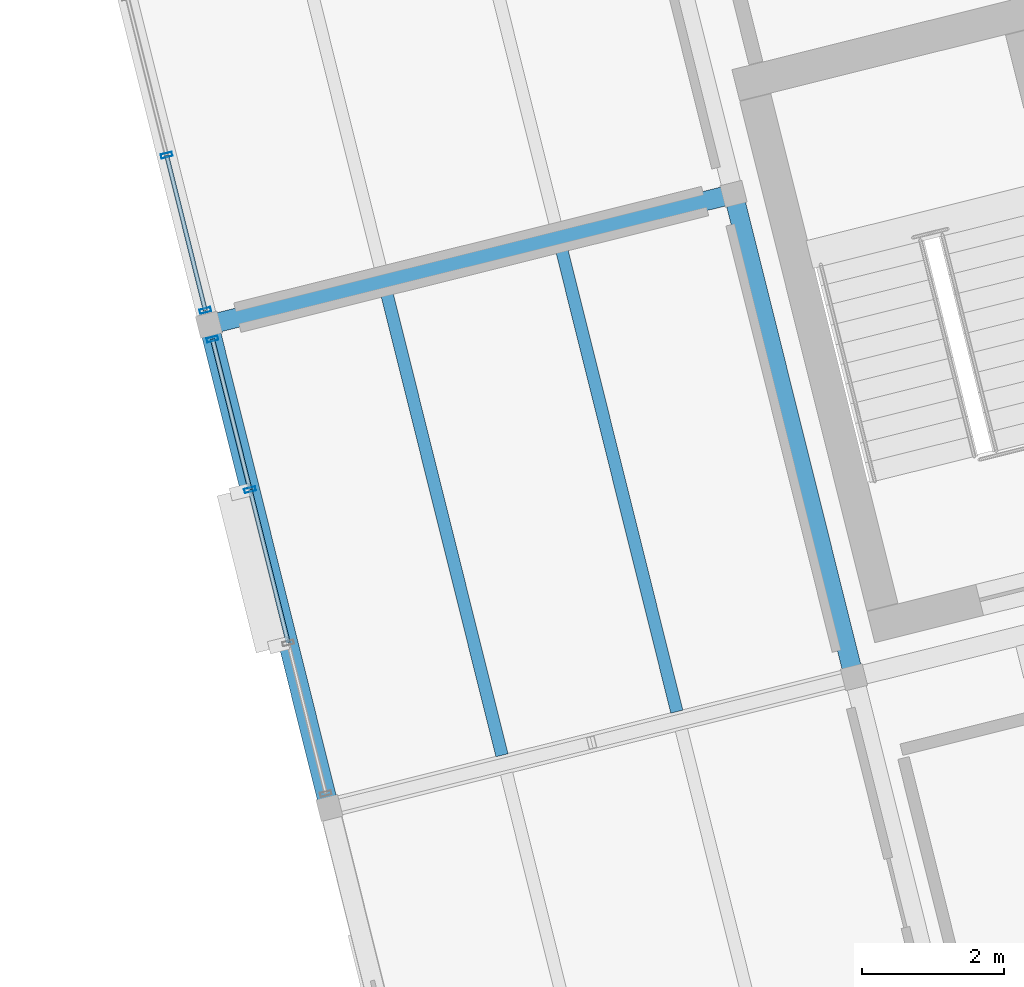
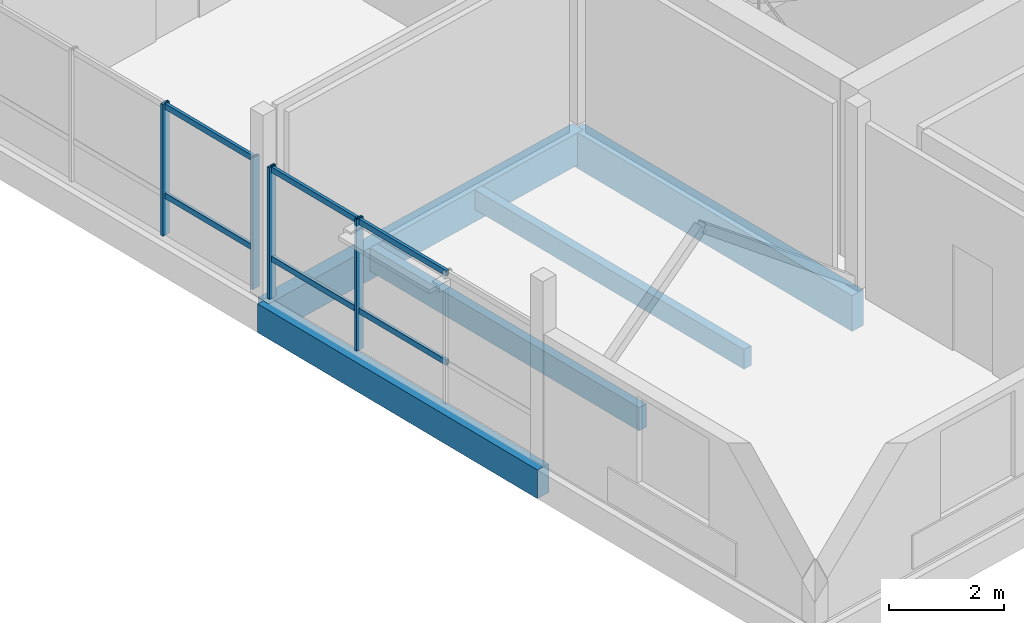
# One storey, part 4 of 25: 10 members, 5 beams, 2 elements without a shape of their own.
"""IFC4 building model written with IfcOpenShell, lengths in metres."""

from ifc_helpers import new_model, si_unit, direction, frame, origin, origin_2d, place, context, subcontext, project, spatial, rectangle, hollow_rectangle, extrude, material, layer, layer_set, material_profile, profile_set, type_object, element, aggregate, save


model = new_model("IFC4")

# Units and contexts
model_context = context("Model", 3, precision=1e-05, world=origin(), true_north=direction((0.0, 1.0)))
body_context = subcontext(model_context, "Body", "Model", "MODEL_VIEW")
ifc_project = project(units=[si_unit("LENGTHUNIT", "METRE"), si_unit("AREAUNIT", "SQUARE_METRE"), si_unit("VOLUMEUNIT", "CUBIC_METRE"), si_unit("PLANEANGLEUNIT", "RADIAN"), si_unit("MASSUNIT", "GRAM", prefix="KILO")], contexts=[model_context])

# Site, building, storey
site_placement = place(None, origin())
site = spatial("IfcSite", under=ifc_project, at=site_placement, CompositionType="ELEMENT")
building_placement = place(site_placement, origin())
building = spatial("IfcBuilding", under=site, at=building_placement, Name="Meriwether Solvik Hall", CompositionType="ELEMENT")
storey_placement = place(building_placement, frame((0.0, 0.0, 49.5)))
storey = spatial("IfcBuildingStorey", under=building, at=storey_placement, Name="L12", CompositionType="ELEMENT", Elevation=49.5)

# Beams
ifc_material_1 = material(Name="Glulam Douglas-Fir 24F-V8 GL28h", Category="wood")
ifc_material_profile_1 = material_profile(ifc_material_1, rectangle(XDim=0.27294921875, YDim=0.610107421875, at=origin_2d()), Name="GLB-273X610")
ifc_profile_set_1 = profile_set([ifc_material_profile_1], Name="Glulam Douglas-Fir 24F-V8 GL28h")
beam_type_1 = type_object("IfcBeamType", Name="BM-GL-273X610", PredefinedType="SPANDREL", material=ifc_profile_set_1)
beam_1_placement = place(storey_placement, frame((66.954833984375, 47.798095703125, -0.485107421875), z_axis=(-0.241911879182, 0.970298223594, 0.0), x_axis=(-0.970298223594, -0.241911879182, 0.0)))
element("IfcBeam", 1, at=beam_1_placement, inside=storey, type_object=beam_type_1, Name="Tower Girder T1:TB-TC (L12)", PredefinedType="SPANDREL", context=body_context, shape_type="SweptSolid", body=[
    extrude(rectangle(XDim=0.27294921875, YDim=0.610107421875, at=origin_2d()), origin(), (0.0, 0.0, 1.0), 7.0),
])
ifc_material_2 = material(Name="Glulam Douglas-Fir 24F-V8 GL28h", Category="wood")
ifc_material_profile_2 = material_profile(ifc_material_2, rectangle(XDim=0.27294921875, YDim=0.68505859375, at=origin_2d()), Name="GLB-273X685")
ifc_profile_set_2 = profile_set([ifc_material_profile_2], Name="Glulam Douglas-Fir 24F-V8 GL28h")
beam_type_2 = type_object("IfcBeamType", Name="BM-GL-273X685", PredefinedType="BEAM", material=ifc_profile_set_2)
beam_2_placement = place(storey_placement, frame((65.261474609375, 54.590087890625, -0.5224609375), z_axis=(0.970295366785, 0.241923337436, 0.0), x_axis=(-0.241923337436, 0.970295366785, 0.0)))
element("IfcBeam", 2, at=beam_2_placement, inside=storey, type_object=beam_type_2, Name="Tower Girder TC:T1-T2 (L12)", PredefinedType="BEAM", context=body_context, shape_type="SweptSolid", body=[
    extrude(rectangle(XDim=0.27294921875, YDim=0.68505859375, at=origin_2d()), origin(), (0.0, 0.0, 1.0), 7.60009765625),
])
ifc_material_3 = material(Name="Glulam Douglas-Fir 24F-V8 GL28h", Category="wood")
ifc_material_profile_3 = material_profile(ifc_material_3, rectangle(XDim=0.27294921875, YDim=0.760009765625, at=origin_2d()), Name="GLB-273X760")
ifc_profile_set_3 = profile_set([ifc_material_profile_3], Name="Glulam Douglas-Fir 24F-V8 GL28h")
beam_type_3 = type_object("IfcBeamType", Name="BM-GL-273X760", PredefinedType="BEAM", material=ifc_profile_set_3)
beam_3_placement = place(storey_placement, frame((74.3291015625, 49.63671875, -0.56005859375), z_axis=(-0.241911879182, 0.970298223594, 0.0), x_axis=(-0.970298223594, -0.241911879182, 0.0)))
element("IfcBeam", 3, at=beam_3_placement, inside=storey, type_object=beam_type_3, Name="Tower Girder T2:TB-TC (L12)", PredefinedType="BEAM", context=body_context, shape_type="SweptSolid", body=[
    extrude(rectangle(XDim=0.27294921875, YDim=0.760009765625, at=origin_2d()), origin(), (0.0, 0.0, 1.0), 7.0),
])

# Curtain wall, members
ifc_material_4 = material(Name="Thermally Broken Anodised Aluminium 6063-T6 and Low-E Glass", Category="aluminium")
ifc_layer_1 = layer(ifc_material_4, 0.179931640625)
ifc_layer_set_1 = layer_set([ifc_layer_1], Name="Thermally Broken Anodised Aluminium 6063-T6 and Low-E Glass")
curtain_wall_type_1 = type_object("IfcCurtainWallType", Name="CW-UNIT-G", PredefinedType="USERDEFINED", material=ifc_layer_set_1)
curtain_wall_1_placement = place(storey_placement, origin())
curtain_wall_1 = element("IfcCurtainWall", 4, at=curtain_wall_1_placement, inside=storey, type_object=curtain_wall_type_1, Name="Curtain Wall E3_B1 (L12)", ObjectType="UNITISED CURTAIN WALL", PredefinedType="USERDEFINED")
ifc_material_5 = material(Name="Anodised Aluminium 6063-T6", Category="aluminium")
ifc_material_profile_4 = material_profile(ifc_material_5, hollow_rectangle(XDim=0.06005859375, YDim=0.159912109375, WallThickness=0.00390625, at=origin_2d()), Name="CWM-60X160")
ifc_profile_set_4 = profile_set([ifc_material_profile_4], Name="Anodised Aluminium 6063-T6")
member_type_1 = type_object("IfcMemberType", Name="CW-MUL-60X160", PredefinedType="MULLION", material=ifc_profile_set_4)
member_1_placement = place(storey_placement, frame((65.839599609375, 52.271240234375, 0.0), z_axis=(0.0, 0.0, 1.0), x_axis=(-0.241921784185, 0.970295754055, 0.0)))
member_1 = element("IfcMember", 5, at=member_1_placement, type_object=member_type_1, Name="Curtain Wall Mullion 3", PredefinedType="MULLION", context=body_context, shape_type="SweptSolid", body=[
    extrude(hollow_rectangle(XDim=0.06005859375, YDim=0.159912109375, WallThickness=0.00390625, at=origin_2d()), origin(), (0.0, 0.0, 1.0), 2.7900390625),
])
member_2_placement = place(storey_placement, frame((65.311767578125, 54.388671875, 0.0), z_axis=(0.0, 0.0, 1.0), x_axis=(-0.241921784185, 0.970295754055, 0.0)))
member_2 = element("IfcMember", 6, at=member_2_placement, type_object=member_type_1, Name="Curtain Wall Mullion 4", PredefinedType="MULLION", context=body_context, shape_type="SweptSolid", body=[
    extrude(hollow_rectangle(XDim=0.06005859375, YDim=0.159912109375, WallThickness=0.00390625, at=origin_2d()), origin(), (0.0, 0.0, 1.0), 2.7900390625),
])

ifc_material_6 = material(Name="Thermally Broken Anodised Aluminium 6063-T6 and Low-E Glass", Category="aluminium")
ifc_layer_2 = layer(ifc_material_6, 0.179931640625)
ifc_layer_set_2 = layer_set([ifc_layer_2], Name="Thermally Broken Anodised Aluminium 6063-T6 and Low-E Glass")
curtain_wall_type_2 = type_object("IfcCurtainWallType", Name="CW-UNIT-A", PredefinedType="USERDEFINED", material=ifc_layer_set_2)
curtain_wall_2_placement = place(storey_placement, origin())
curtain_wall_2 = element("IfcCurtainWall", 7, at=curtain_wall_2_placement, inside=storey, type_object=curtain_wall_type_2, Name="Curtain Wall E3_B2 (L12)", ObjectType="UNITISED CURTAIN WALL", PredefinedType="USERDEFINED")
member_3_placement = place(storey_placement, frame((65.211181640625, 54.79150390625, 0.0), z_axis=(0.0, 0.0, 1.0), x_axis=(-0.241921877598, 0.970295730764, 0.0)))
member_3 = element("IfcMember", 8, at=member_3_placement, type_object=member_type_1, Name="Curtain Wall Mullion 1", PredefinedType="MULLION", context=body_context, shape_type="SweptSolid", body=[
    extrude(hollow_rectangle(XDim=0.06005859375, YDim=0.159912109375, WallThickness=0.00390625, at=origin_2d()), origin(), (0.0, 0.0, 1.0), 2.7900390625),
])
member_4_placement = place(storey_placement, frame((64.667236328125, 56.9736328125, 0.0), z_axis=(0.0, 0.0, 1.0), x_axis=(-0.241921877598, 0.970295730764, 0.0)))
member_4 = element("IfcMember", 9, at=member_4_placement, type_object=member_type_1, Name="Curtain Wall Mullion 2", PredefinedType="MULLION", context=body_context, shape_type="SweptSolid", body=[
    extrude(hollow_rectangle(XDim=0.06005859375, YDim=0.159912109375, WallThickness=0.00390625, at=origin_2d()), origin(), (0.0, 0.0, 1.0), 2.7900390625),
])

# Member
ifc_material_7 = material(Name="Anodised Aluminium 6063-T6", Category="aluminium")
ifc_material_profile_5 = material_profile(ifc_material_7, hollow_rectangle(XDim=0.06005859375, YDim=0.1201171875, WallThickness=0.00390625, at=origin_2d()), Name="CWT-60X120")
ifc_profile_set_5 = profile_set([ifc_material_profile_5], Name="Anodised Aluminium 6063-T6")
member_type_2 = type_object("IfcMemberType", Name="CW-TRN-60X120", PredefinedType="USERDEFINED", material=ifc_profile_set_5)
member_5_placement = place(storey_placement, frame((66.376708984375, 50.116943359375, 0.8369140625), z_axis=(-0.241914618046, 0.970297540745, 0.0), x_axis=(-0.970297540745, -0.241914618046, 0.0)))
member_5 = element("IfcMember", 10, at=member_5_placement, type_object=member_type_2, Name="Curtain Wall Transom 2-sill", ObjectType="TRANSOM", PredefinedType="USERDEFINED", context=body_context, shape_type="SweptSolid", body=[
    extrude(hollow_rectangle(XDim=0.06005859375, YDim=0.1201171875, WallThickness=0.00390625, at=origin_2d()), origin(), (0.0, 0.0, 1.0), 2.22021484375),
])

member_6_placement = place(storey_placement, frame((66.376708984375, 50.116943359375, 2.72998046875), z_axis=(-0.241914618046, 0.970297540745, 0.0), x_axis=(-0.970297540745, -0.241914618046, 0.0)))
member_6 = element("IfcMember", 11, at=member_6_placement, type_object=member_type_2, Name="Curtain Wall Transom 2-head", ObjectType="TRANSOM", PredefinedType="USERDEFINED", context=body_context, shape_type="SweptSolid", body=[
    extrude(hollow_rectangle(XDim=0.06005859375, YDim=0.1201171875, WallThickness=0.00390625, at=origin_2d()), origin(), (0.0, 0.0, 1.0), 2.22021484375),
])

member_7_placement = place(storey_placement, frame((65.839599609375, 52.271240234375, 0.8369140625), z_axis=(-0.241877470874, 0.970306801524, 0.0), x_axis=(-0.970306801524, -0.241877470874, 0.0)))
member_7 = element("IfcMember", 12, at=member_7_placement, type_object=member_type_2, Name="Curtain Wall Transom 3-sill", ObjectType="TRANSOM", PredefinedType="USERDEFINED", context=body_context, shape_type="SweptSolid", body=[
    extrude(hollow_rectangle(XDim=0.06005859375, YDim=0.1201171875, WallThickness=0.00390625, at=origin_2d()), origin(), (0.0, 0.0, 1.0), 2.18212890625),
])

member_8_placement = place(storey_placement, frame((65.839599609375, 52.271240234375, 2.72998046875), z_axis=(-0.241877470874, 0.970306801524, 0.0), x_axis=(-0.970306801524, -0.241877470874, 0.0)))
member_8 = element("IfcMember", 13, at=member_8_placement, type_object=member_type_2, Name="Curtain Wall Transom 3-head", ObjectType="TRANSOM", PredefinedType="USERDEFINED", context=body_context, shape_type="SweptSolid", body=[
    extrude(hollow_rectangle(XDim=0.06005859375, YDim=0.1201171875, WallThickness=0.00390625, at=origin_2d()), origin(), (0.0, 0.0, 1.0), 2.18212890625),
])

aggregate(curtain_wall_1, [member_1, member_2, member_5, member_6, member_7, member_8])

member_9_placement = place(storey_placement, frame((65.211181640625, 54.79150390625, 0.8369140625), z_axis=(-0.241871437108, 0.970308305597, 0.0), x_axis=(-0.970308305597, -0.241871437108, 0.0)))
member_9 = element("IfcMember", 14, at=member_9_placement, type_object=member_type_2, Name="Curtain Wall Transom 1-sill", ObjectType="TRANSOM", PredefinedType="USERDEFINED", context=body_context, shape_type="SweptSolid", body=[
    extrude(hollow_rectangle(XDim=0.06005859375, YDim=0.1201171875, WallThickness=0.00390625, at=origin_2d()), origin(), (0.0, 0.0, 1.0), 2.2490234375),
])

member_10_placement = place(storey_placement, frame((65.211181640625, 54.79150390625, 2.72998046875), z_axis=(-0.241871437108, 0.970308305597, 0.0), x_axis=(-0.970308305597, -0.241871437108, 0.0)))
member_10 = element("IfcMember", 15, at=member_10_placement, type_object=member_type_2, Name="Curtain Wall Transom 1-head", ObjectType="TRANSOM", PredefinedType="USERDEFINED", context=body_context, shape_type="SweptSolid", body=[
    extrude(hollow_rectangle(XDim=0.06005859375, YDim=0.1201171875, WallThickness=0.00390625, at=origin_2d()), origin(), (0.0, 0.0, 1.0), 2.2490234375),
])

aggregate(curtain_wall_2, [member_3, member_4, member_9, member_10])

# Beams
ifc_material_8 = material(Name="Glulam Douglas-Fir 24F-V8 GL28h", Category="wood")
ifc_material_profile_6 = material_profile(ifc_material_8, rectangle(XDim=0.175048828125, YDim=0.419921875, at=origin_2d()), Name="GLJ-175X420")
ifc_profile_set_6 = profile_set([ifc_material_profile_6], Name="Glulam Douglas-Fir 24F-V8 GL28h")
beam_type_4 = type_object("IfcBeamType", Name="JST-GL-175X420", PredefinedType="JOIST", material=ifc_profile_set_6)
beam_4_placement = place(storey_placement, frame((71.83935546875, 49.1513671875, -0.389892578125), z_axis=(-0.241930176813, 0.9702936615, 0.0), x_axis=(-0.9702936615, -0.241930176813, 0.0)))
element("IfcBeam", 16, at=beam_4_placement, inside=storey, type_object=beam_type_4, Name="Glulam Floor Joist T1/TB-J2 (L12)", PredefinedType="JOIST", context=body_context, shape_type="SweptSolid", body=[
    extrude(rectangle(XDim=0.175048828125, YDim=0.419921875, at=origin_2d()), origin(), (0.0, 0.0, 1.0), 6.737060546875),
])
ifc_material_9 = material(Name="Glulam Douglas-Fir 24F-V8 GL28h", Category="wood")
ifc_material_profile_7 = material_profile(ifc_material_9, rectangle(XDim=0.175048828125, YDim=0.4951171875, at=origin_2d()), Name="GLJ-175X495")
ifc_profile_set_7 = profile_set([ifc_material_profile_7], Name="Glulam Douglas-Fir 24F-V8 GL28h")
beam_type_5 = type_object("IfcBeamType", Name="JST-GL-175X495", PredefinedType="JOIST", material=ifc_profile_set_7)
beam_5_placement = place(storey_placement, frame((69.381103515625, 48.53857421875, -0.427490234375), z_axis=(-0.241930176813, 0.9702936615, 0.0), x_axis=(-0.9702936615, -0.241930176813, 0.0)))
element("IfcBeam", 17, at=beam_5_placement, inside=storey, type_object=beam_type_5, Name="Glulam Floor Joist T1/TB-J1 (L12)", PredefinedType="JOIST", context=body_context, shape_type="SweptSolid", body=[
    extrude(rectangle(XDim=0.175048828125, YDim=0.4951171875, at=origin_2d()), origin(), (0.0, 0.0, 1.0), 6.737060546875),
])

save(model, "model.ifc")
